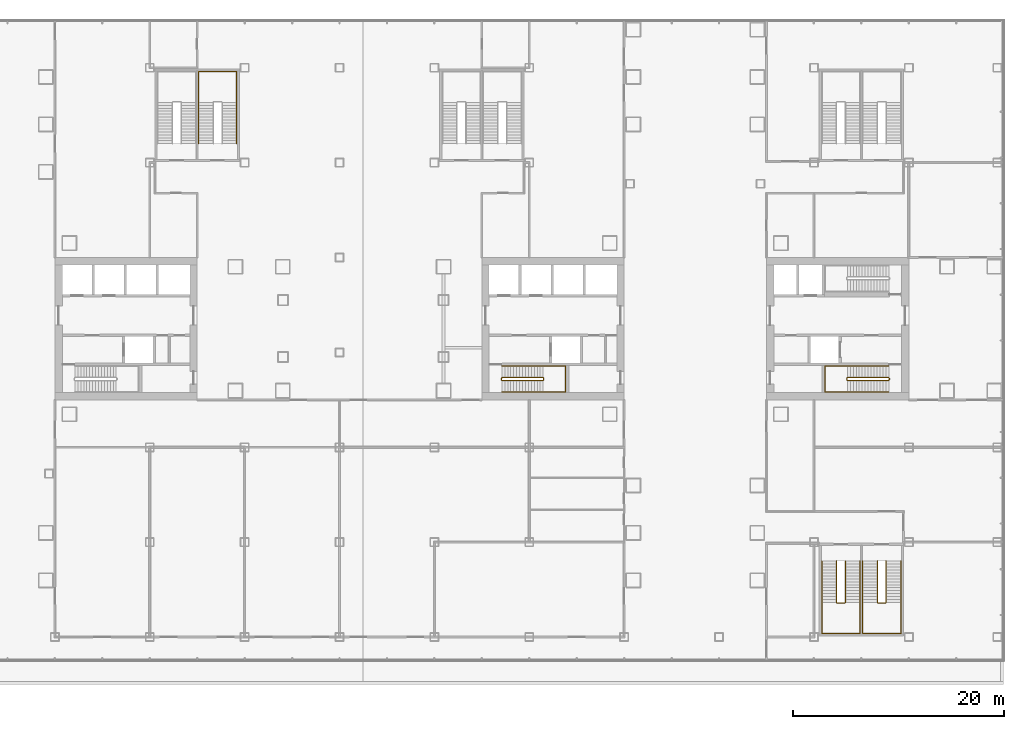
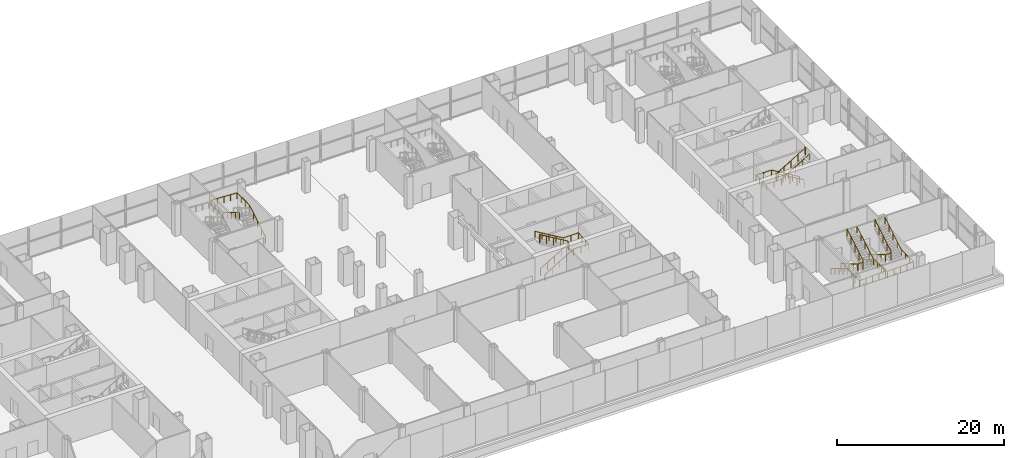
# One storey, part 28 of 30: 9 railings.
"""IFC4 building model written with IfcOpenShell, lengths in metres."""

import ifcopenshell
import ifcopenshell.guid

model = None  # the IFC model being written
_history = None  # IfcOwnerHistory: only IFC2X3 demands one
_inside = {}  # id of a spatial element -> (the spatial element, [elements in it])
_under = {}  # id of a project, library or spatial element -> (it, [spatial elements below it])
_declared = {}  # id of a project -> (the project, [libraries it declares])
_typed = {}  # id of a type object -> (the type object, [elements of that type])
_made_of = {}  # id of a material, layer set ... -> (it, [elements and type objects made of it])


def new_model(schema):
    """Start an empty IFC model of exactly this schema.

    Asked for "IFC4X3", IfcOpenShell would pick the latest addendum, in which some entities
    have other attributes; the version numbers below select the first issue.
    IFC2X3 requires an IfcOwnerHistory on every rooted entity: one is made here for all.
    """
    global model, _history
    if schema == "IFC4X3":
        model = ifcopenshell.file(schema_version=(4, 3, 0, 0))
    else:
        model = ifcopenshell.file(schema=schema)
    _inside.clear()
    _under.clear()
    _declared.clear()
    _typed.clear()
    _made_of.clear()
    _history = None
    if model.schema == "IFC2X3":
        org = make("IfcOrganization", Name="unknown")
        user = make(
            "IfcPersonAndOrganization",
            ThePerson=make("IfcPerson", FamilyName="unknown"),
            TheOrganization=org,
        )
        app = make(
            "IfcApplication",
            ApplicationDeveloper=org,
            Version="unknown",
            ApplicationFullName="unknown",
            ApplicationIdentifier="unknown",
        )
        _history = make(
            "IfcOwnerHistory",
            OwningUser=user,
            OwningApplication=app,
            ChangeAction="ADDED",
            CreationDate=0,
        )
    return model


def make(cls, **values):
    """One entity of the class cls with the attributes given. An attribute that is None is left unset."""
    return model.create_entity(
        cls, **{name: value for name, value in values.items() if value is not None}
    )


def rooted(cls, **values):
    """An entity with a GlobalId (a new one), such as an element, a storey or a relation."""
    return make(cls, GlobalId=ifcopenshell.guid.new(), OwnerHistory=_history, **values)


def si_unit(unit_type, name, prefix=None):
    """IfcSIUnit, for example si_unit("LENGTHUNIT", "METRE", prefix="MILLI")."""
    return make("IfcSIUnit", UnitType=unit_type, Prefix=prefix, Name=name)


def assignment(units):
    """IfcUnitAssignment: the units of a project."""
    return None if units is None else make("IfcUnitAssignment", Units=units)


def point(xyz):
    """IfcCartesianPoint."""
    return None if xyz is None else make("IfcCartesianPoint", Coordinates=xyz)


def direction(xyz):
    """IfcDirection."""
    return None if xyz is None else make("IfcDirection", DirectionRatios=xyz)


def frame(location, z_axis=None, x_axis=None):
    """IfcAxis2Placement3D, a coordinate frame: its origin and axes. An axis left out is left unset."""
    return make(
        "IfcAxis2Placement3D",
        Location=point(location),
        Axis=direction(z_axis),
        RefDirection=direction(x_axis),
    )


def frame_2d(location, x_axis=None):
    """IfcAxis2Placement2D, a coordinate frame in the plane: its origin and x axis."""
    return make(
        "IfcAxis2Placement2D", Location=point(location), RefDirection=direction(x_axis)
    )


def origin():
    """The frame at (0, 0, 0) with its axes left unset."""
    return frame((0.0, 0.0, 0.0))


def origin_2d():
    """The frame at (0, 0) in the plane with its x axis left unset."""
    return frame_2d((0.0, 0.0))


def place(relative_to, where):
    """IfcLocalPlacement: puts the frame where relative to a parent placement (None: the world)."""
    return make(
        "IfcLocalPlacement", PlacementRelTo=relative_to, RelativePlacement=where
    )


def context(
    kind, dimensions, precision=None, world=None, true_north=None, identifier=None
):
    """IfcGeometricRepresentationContext, for example the 3D "Model" context."""
    return make(
        "IfcGeometricRepresentationContext",
        ContextIdentifier=identifier,
        ContextType=kind,
        CoordinateSpaceDimension=dimensions,
        Precision=precision,
        WorldCoordinateSystem=world,
        TrueNorth=true_north,
    )


def subcontext(parent, identifier, kind, view, scale=None):
    """IfcGeometricRepresentationSubContext, for example "Body" below "Model"."""
    return make(
        "IfcGeometricRepresentationSubContext",
        ContextIdentifier=identifier,
        ContextType=kind,
        ParentContext=parent,
        TargetScale=scale,
        TargetView=view,
    )


def project(units=None, contexts=None):
    """IfcProject with its units and contexts."""
    return rooted(
        "IfcProject",
        Name="project",
        RepresentationContexts=contexts,
        UnitsInContext=assignment(units),
    )


def spatial(cls, under=None, at=None, **own):
    """A site, building, storey or space (cls), placed at a placement, below another one or the project."""
    s = rooted(cls, ObjectPlacement=at, **own)
    if under is not None:
        _under.setdefault(under.id(), (under, []))[1].append(s)
    return s


def profile(cls, at=None, kind="AREA", **sizes):
    """A parametric profile (cls). Its sizes go by their IFC names, for example OverallWidth=200.0."""
    return make(cls, ProfileType=kind, Position=at, **sizes)


def circle(**sizes):
    """IfcCircleProfileDef."""
    return profile("IfcCircleProfileDef", **sizes)


def extrude(swept, where, along, depth):
    """IfcExtrudedAreaSolid: the profile swept, set in the frame where, extruded along a direction by depth."""
    return make(
        "IfcExtrudedAreaSolid",
        SweptArea=swept,
        Position=where,
        ExtrudedDirection=direction(along),
        Depth=depth,
    )


def shape(context_of_items, identifier, shape_type, items):
    """IfcShapeRepresentation: the items that make up one representation, for example the "Body"."""
    return make(
        "IfcShapeRepresentation",
        ContextOfItems=context_of_items,
        RepresentationIdentifier=identifier,
        RepresentationType=shape_type,
        Items=items,
    )


def material(Name=None, Category=None):
    """IfcMaterial."""
    return make("IfcMaterial", Name=Name, Category=Category)


def made_of(thing, what):
    """Note that an element or type object is made of a material, layer set ...; save() writes the relation."""
    if what is not None:
        _made_of.setdefault(what.id(), (what, []))[1].append(thing)
    return thing


def type_object(cls, material=None, **own):
    """A type object (cls), such as IfcWallType, which elements share."""
    return made_of(rooted(cls, **own), material)


def element(
    cls,
    number,
    at=None,
    inside=None,
    cuts=None,
    type_object=None,
    material=None,
    context=None,
    identifier="Body",
    shape_type=None,
    held_by="IfcProductDefinitionShape",
    body=None,
    shapes=None,
    **own,
):
    """One element of the class cls, such as IfcWall. Its Tag is "e" and its number.

    at: its placement. inside: the storey or other place that contains it. cuts: it is an
    opening in that element (IfcRelVoidsElement). A single representation is given by context,
    identifier, shape_type and body (its items); several are given by shapes. held_by: the class
    of the entity that holds the representations. save() writes the other relations.
    """
    e = rooted(cls, Tag="e%d" % number, ObjectPlacement=at, **own)
    if body is not None:
        shapes = [shape(context, identifier, shape_type, body)]
    if shapes is not None:
        e.Representation = make(held_by, Representations=shapes)
    if inside is not None:
        _inside.setdefault(inside.id(), (inside, []))[1].append(e)
    if cuts is not None:
        rooted(
            "IfcRelVoidsElement", RelatingBuildingElement=cuts, RelatedOpeningElement=e
        )
    if type_object is not None:
        _typed.setdefault(type_object.id(), (type_object, []))[1].append(e)
    return made_of(e, material)


def aggregate(whole, parts):
    """IfcRelAggregates: a whole, such as a stair, and the parts it consists of."""
    return rooted("IfcRelAggregates", RelatingObject=whole, RelatedObjects=parts)


def save(model, path):
    """Write the relations noted so far, then the file.

    IfcRelAggregates (storeys below a building ...), IfcRelContainedInSpatialStructure (elements
    in a storey), IfcRelDefinesByType, IfcRelAssociatesMaterial and IfcRelDeclares: one each for
    every whole, place, type object, material and project.
    """
    for whole, parts in _under.values():
        aggregate(whole, parts)
    for where, things in _inside.values():
        rooted(
            "IfcRelContainedInSpatialStructure",
            RelatedElements=things,
            RelatingStructure=where,
        )
    for kind, things in _typed.values():
        rooted("IfcRelDefinesByType", RelatedObjects=things, RelatingType=kind)
    for what, things in _made_of.values():
        rooted("IfcRelAssociatesMaterial", RelatedObjects=things, RelatingMaterial=what)
    for by, libraries in _declared.values():
        rooted("IfcRelDeclares", RelatingContext=by, RelatedDefinitions=libraries)
    model.write(path)


model = new_model("IFC4")

# Units and contexts
model_context = context("Model", 3, precision=1e-05, world=origin(), true_north=direction((0.0, 1.0)))
body_context = subcontext(model_context, "Body", "Model", "MODEL_VIEW")
ifc_project = project(units=[si_unit("LENGTHUNIT", "METRE"), si_unit("AREAUNIT", "SQUARE_METRE"), si_unit("VOLUMEUNIT", "CUBIC_METRE"), si_unit("PLANEANGLEUNIT", "RADIAN"), si_unit("MASSUNIT", "GRAM", prefix="KILO")], contexts=[model_context])

# Site, building, storey
site_placement = place(None, origin())
site = spatial("IfcSite", under=ifc_project, at=site_placement, CompositionType="ELEMENT")
building_placement = place(site_placement, origin())
building = spatial("IfcBuilding", under=site, at=building_placement, Name="Shamsa Quay Exchange Towers", CompositionType="ELEMENT")
storey_placement = place(building_placement, frame((0.0, 0.0, 23.5)))
storey = spatial("IfcBuildingStorey", under=building, at=storey_placement, Name="L04", CompositionType="ELEMENT", Elevation=23.5)

# Railings
ifc_material = material(Name="Stainless steel", Category="steel")
railing_type_1 = type_object("IfcRailingType", Name="STAIR GUARD 1100", PredefinedType="GUARDRAIL", material=ifc_material)
railing_1_placement = place(storey_placement, frame((15.39990234375, -4.89990234375, 0.166748046875)))
element("IfcRailing", 1, at=railing_1_placement, inside=storey, type_object=railing_type_1, Name="L04 ST4 stair guard 1", PredefinedType="GUARDRAIL", context=body_context, shape_type="SweptSolid", body=[
    extrude(circle(Radius=0.02392578125, at=origin_2d()), frame((0.0, 0.0, 1.076171875), z_axis=(0.859310244771, 0.0, 0.511454693235), x_axis=(0.0, 1.0, 0.0)), (0.0, 0.0, 1.0), 4.56201171875),
    extrude(circle(Radius=0.02392578125, at=origin_2d()), frame((3.920166015625, 0.0, 3.4091796875), z_axis=(0.708833529934, 0.705375805398, 0.0), x_axis=(-0.705375805398, 0.708833529934, 0.0)), (0.0, 0.0, 1.0), 0.070556640625),
    extrude(circle(Radius=0.02392578125, at=origin_2d()), frame((3.97021484375, 0.0498046875, 3.4091796875), z_axis=(0.0, 1.0, 0.0), x_axis=(-1.0, 0.0, 0.0)), (0.0, 0.0, 1.0), 0.150146484375),
    extrude(circle(Radius=0.02392578125, at=origin_2d()), frame((3.97021484375, 0.199951171875, 3.4091796875), z_axis=(-0.27628659633, 0.27628659633, 0.920506074601), x_axis=(-0.707106781187, -0.707106781187, 0.0)), (0.0, 0.0, 1.0), 0.18115234375),
    extrude(circle(Radius=0.02392578125, at=origin_2d()), frame((3.920166015625, 0.25, 3.576171875), z_axis=(-0.859310244771, 0.0, 0.511454693235), x_axis=(0.0, -1.0, 0.0)), (0.0, 0.0, 1.0), 4.56201171875),
    extrude(circle(Radius=0.02392578125, at=origin_2d()), frame((0.0, 0.25, 5.9091796875), z_axis=(-0.24142163986, -0.970420317083, 0.0), x_axis=(0.970420317083, -0.24142163986, 0.0)), (0.0, 0.0, 1.0), 0.206298828125),
    extrude(circle(Radius=0.02392578125, at=origin_2d()), frame((-0.0498046875, 0.0498046875, 5.9091796875), z_axis=(0.0, 1.0, 0.0), x_axis=(-1.0, 0.0, 0.0)), (0.0, 0.0, 1.0), 0.150146484375),
    extrude(circle(Radius=0.02099609375, at=origin_2d()), origin(), (0.0, 0.0, 1.0), 1.052001953125),
    extrude(circle(Radius=0.02099609375, at=origin_2d()), frame((0.97998046875, 0.0, 0.583251953125)), (0.0, 0.0, 1.0), 1.052001953125),
    extrude(circle(Radius=0.02099609375, at=origin_2d()), frame((1.9599609375, 0.0, 1.16650390625)), (0.0, 0.0, 1.0), 1.052001953125),
    extrude(circle(Radius=0.02099609375, at=origin_2d()), frame((2.940185546875, 0.0, 1.75)), (0.0, 0.0, 1.0), 1.052001953125),
    extrude(circle(Radius=0.02099609375, at=origin_2d()), frame((3.920166015625, 0.0, 2.333251953125)), (0.0, 0.0, 1.0), 1.052001953125),
    extrude(circle(Radius=0.02099609375, at=origin_2d()), frame((3.97021484375, 0.0498046875, 2.333251953125)), (0.0, 0.0, 1.0), 1.052001953125),
    extrude(circle(Radius=0.02099609375, at=origin_2d()), frame((3.97021484375, 0.199951171875, 2.333251953125)), (0.0, 0.0, 1.0), 1.052001953125),
    extrude(circle(Radius=0.02099609375, at=origin_2d()), frame((3.920166015625, 0.25, 2.5)), (0.0, 0.0, 1.0), 1.052001953125),
    extrude(circle(Radius=0.02099609375, at=origin_2d()), frame((2.940185546875, 0.25, 3.083251953125)), (0.0, 0.0, 1.0), 1.052001953125),
    extrude(circle(Radius=0.02099609375, at=origin_2d()), frame((1.9599609375, 0.25, 3.66650390625)), (0.0, 0.0, 1.0), 1.052001953125),
    extrude(circle(Radius=0.02099609375, at=origin_2d()), frame((0.97998046875, 0.25, 4.25)), (0.0, 0.0, 1.0), 1.052001953125),
    extrude(circle(Radius=0.02099609375, at=origin_2d()), frame((0.0, 0.25, 4.833251953125)), (0.0, 0.0, 1.0), 1.052001953125),
    extrude(circle(Radius=0.02099609375, at=origin_2d()), frame((-0.0498046875, 0.0498046875, 4.833251953125)), (0.0, 0.0, 1.0), 1.052001953125),
    extrude(circle(Radius=0.02099609375, at=origin_2d()), frame((-0.0498046875, 0.199951171875, 4.833251953125)), (0.0, 0.0, 1.0), 1.052001953125),
])
railing_2_placement = place(storey_placement, frame((52.10009765625, -4.64990234375, 0.166748046875)))
element("IfcRailing", 2, at=railing_2_placement, inside=storey, type_object=railing_type_1, Name="L04 ST5 stair guard 1", PredefinedType="GUARDRAIL", context=body_context, shape_type="SweptSolid", body=[
    extrude(circle(Radius=0.02392578125, at=origin_2d()), frame((0.0, 0.0, 1.076171875), z_axis=(-0.859310244771, 0.0, 0.511454693235), x_axis=(0.0, -1.0, 0.0)), (0.0, 0.0, 1.0), 4.56201171875),
    extrude(circle(Radius=0.02392578125, at=origin_2d()), frame((-3.920166015625, 0.0, 3.4091796875), z_axis=(-0.707106781187, -0.707106781187, 0.0), x_axis=(0.707106781187, -0.707106781187, 0.0)), (0.0, 0.0, 1.0), 0.07080078125),
    extrude(circle(Radius=0.02392578125, at=origin_2d()), frame((-3.97021484375, -0.050048828125, 3.4091796875), z_axis=(0.0, -1.0, 0.0), x_axis=(1.0, 0.0, 0.0)), (0.0, 0.0, 1.0), 0.150146484375),
    extrude(circle(Radius=0.02392578125, at=origin_2d()), frame((-3.97021484375, -0.2001953125, 3.4091796875), z_axis=(0.276389281352, -0.275041040955, 0.920848191041), x_axis=(0.705375805398, 0.708833529934, 0.0)), (0.0, 0.0, 1.0), 0.18115234375),
    extrude(circle(Radius=0.02392578125, at=origin_2d()), frame((-3.920166015625, -0.25, 3.576171875), z_axis=(0.859310244771, 0.0, 0.511454693235), x_axis=(0.0, 1.0, 0.0)), (0.0, 0.0, 1.0), 4.56201171875),
    extrude(circle(Radius=0.02392578125, at=origin_2d()), frame((0.0, -0.25, 5.9091796875), z_axis=(0.241699205484, 0.970351222016, 0.0), x_axis=(-0.970351222016, 0.241699205484, 0.0)), (0.0, 0.0, 1.0), 0.2060546875),
    extrude(circle(Radius=0.02392578125, at=origin_2d()), frame((0.0498046875, -0.050048828125, 5.9091796875), z_axis=(0.0, -1.0, 0.0), x_axis=(1.0, 0.0, 0.0)), (0.0, 0.0, 1.0), 0.150146484375),
    extrude(circle(Radius=0.02099609375, at=origin_2d()), origin(), (0.0, 0.0, 1.0), 1.052001953125),
    extrude(circle(Radius=0.02099609375, at=origin_2d()), frame((-0.97998046875, 0.0, 0.583251953125)), (0.0, 0.0, 1.0), 1.052001953125),
    extrude(circle(Radius=0.02099609375, at=origin_2d()), frame((-1.9599609375, 0.0, 1.16650390625)), (0.0, 0.0, 1.0), 1.052001953125),
    extrude(circle(Radius=0.02099609375, at=origin_2d()), frame((-2.940185546875, 0.0, 1.75)), (0.0, 0.0, 1.0), 1.052001953125),
    extrude(circle(Radius=0.02099609375, at=origin_2d()), frame((-3.920166015625, 0.0, 2.333251953125)), (0.0, 0.0, 1.0), 1.052001953125),
    extrude(circle(Radius=0.02099609375, at=origin_2d()), frame((-3.97021484375, -0.050048828125, 2.333251953125)), (0.0, 0.0, 1.0), 1.052001953125),
    extrude(circle(Radius=0.02099609375, at=origin_2d()), frame((-3.97021484375, -0.2001953125, 2.333251953125)), (0.0, 0.0, 1.0), 1.052001953125),
    extrude(circle(Radius=0.02099609375, at=origin_2d()), frame((-3.920166015625, -0.25, 2.5)), (0.0, 0.0, 1.0), 1.052001953125),
    extrude(circle(Radius=0.02099609375, at=origin_2d()), frame((-2.940185546875, -0.25, 3.083251953125)), (0.0, 0.0, 1.0), 1.052001953125),
    extrude(circle(Radius=0.02099609375, at=origin_2d()), frame((-1.9599609375, -0.25, 3.66650390625)), (0.0, 0.0, 1.0), 1.052001953125),
    extrude(circle(Radius=0.02099609375, at=origin_2d()), frame((-0.97998046875, -0.25, 4.25)), (0.0, 0.0, 1.0), 1.052001953125),
    extrude(circle(Radius=0.02099609375, at=origin_2d()), frame((0.0, -0.25, 4.833251953125)), (0.0, 0.0, 1.0), 1.052001953125),
    extrude(circle(Radius=0.02099609375, at=origin_2d()), frame((0.0498046875, -0.050048828125, 4.833251953125)), (0.0, 0.0, 1.0), 1.052001953125),
    extrude(circle(Radius=0.02099609375, at=origin_2d()), frame((0.0498046875, -0.2001953125, 4.833251953125)), (0.0, 0.0, 1.0), 1.052001953125),
])
railing_3_placement = place(storey_placement, frame((47.14990234375, -22.050048828125, 0.166748046875)))
element("IfcRailing", 3, at=railing_3_placement, inside=storey, type_object=railing_type_1, Name="L04 PS6A stair guard 1", PredefinedType="GUARDRAIL", context=body_context, shape_type="SweptSolid", body=[
    extrude(circle(Radius=0.02392578125, at=origin_2d()), frame((0.0, 0.0, 1.076171875), z_axis=(0.0, -0.859296244711, 0.511478214419), x_axis=(1.0, 0.0, 0.0)), (0.0, 0.0, 1.0), 4.561767578125),
    extrude(circle(Radius=0.02392578125, at=origin_2d()), frame((0.0, -3.919921875, 3.4091796875), z_axis=(0.707106781187, -0.707106781187, 0.0), x_axis=(0.707106781187, 0.707106781187, 0.0)), (0.0, 0.0, 1.0), 0.07080078125),
    extrude(circle(Radius=0.02392578125, at=origin_2d()), frame((0.050048828125, -3.969970703125, 3.4091796875), z_axis=(1.0, 0.0, 0.0), x_axis=(0.0, 1.0, 0.0)), (0.0, 0.0, 1.0), 0.72509765625),
    extrude(circle(Radius=0.02392578125, at=origin_2d()), frame((0.775146484375, -3.969970703125, 3.4091796875), z_axis=(0.27628659633, 0.27628659633, 0.920506074601), x_axis=(-0.707106781187, 0.707106781187, 0.0)), (0.0, 0.0, 1.0), 0.18115234375),
    extrude(circle(Radius=0.02392578125, at=origin_2d()), frame((0.8251953125, -3.919921875, 3.576171875), z_axis=(0.0, 0.859296244711, 0.511478214419), x_axis=(-1.0, 0.0, 0.0)), (0.0, 0.0, 1.0), 4.561767578125),
    extrude(circle(Radius=0.02099609375, at=origin_2d()), origin(), (0.0, 0.0, 1.0), 1.052001953125),
    extrude(circle(Radius=0.02099609375, at=origin_2d()), frame((0.0, -0.97998046875, 0.583251953125)), (0.0, 0.0, 1.0), 1.052001953125),
    extrude(circle(Radius=0.02099609375, at=origin_2d()), frame((0.0, -1.9599609375, 1.16650390625)), (0.0, 0.0, 1.0), 1.052001953125),
    extrude(circle(Radius=0.02099609375, at=origin_2d()), frame((0.0, -2.93994140625, 1.75)), (0.0, 0.0, 1.0), 1.052001953125),
    extrude(circle(Radius=0.02099609375, at=origin_2d()), frame((0.0, -3.919921875, 2.333251953125)), (0.0, 0.0, 1.0), 1.052001953125),
    extrude(circle(Radius=0.02099609375, at=origin_2d()), frame((0.050048828125, -3.969970703125, 2.333251953125)), (0.0, 0.0, 1.0), 1.052001953125),
    extrude(circle(Radius=0.02099609375, at=origin_2d()), frame((0.775146484375, -3.969970703125, 2.333251953125)), (0.0, 0.0, 1.0), 1.052001953125),
    extrude(circle(Radius=0.02099609375, at=origin_2d()), frame((0.8251953125, -3.919921875, 2.5)), (0.0, 0.0, 1.0), 1.052001953125),
    extrude(circle(Radius=0.02099609375, at=origin_2d()), frame((0.8251953125, -2.93994140625, 3.083251953125)), (0.0, 0.0, 1.0), 1.052001953125),
    extrude(circle(Radius=0.02099609375, at=origin_2d()), frame((0.8251953125, -1.9599609375, 3.66650390625)), (0.0, 0.0, 1.0), 1.052001953125),
    extrude(circle(Radius=0.02099609375, at=origin_2d()), frame((0.8251953125, -0.97998046875, 4.25)), (0.0, 0.0, 1.0), 1.052001953125),
    extrude(circle(Radius=0.02099609375, at=origin_2d()), frame((0.8251953125, 0.0, 4.833251953125)), (0.0, 0.0, 1.0), 1.052001953125),
])
railing_4_placement = place(storey_placement, frame((51.02490234375, -22.050048828125, 0.166748046875)))
element("IfcRailing", 4, at=railing_4_placement, inside=storey, type_object=railing_type_1, Name="L04 PS6B stair guard 1", PredefinedType="GUARDRAIL", context=body_context, shape_type="SweptSolid", body=[
    extrude(circle(Radius=0.02392578125, at=origin_2d()), frame((0.0, 0.0, 1.076171875), z_axis=(0.0, -0.859296244711, 0.511478214419), x_axis=(1.0, 0.0, 0.0)), (0.0, 0.0, 1.0), 4.561767578125),
    extrude(circle(Radius=0.02392578125, at=origin_2d()), frame((0.0, -3.919921875, 3.4091796875), z_axis=(0.707106781187, -0.707106781187, 0.0), x_axis=(0.707106781187, 0.707106781187, 0.0)), (0.0, 0.0, 1.0), 0.07080078125),
    extrude(circle(Radius=0.02392578125, at=origin_2d()), frame((0.050048828125, -3.969970703125, 3.4091796875), z_axis=(1.0, 0.0, 0.0), x_axis=(0.0, 1.0, 0.0)), (0.0, 0.0, 1.0), 0.72509765625),
    extrude(circle(Radius=0.02392578125, at=origin_2d()), frame((0.775146484375, -3.969970703125, 3.4091796875), z_axis=(0.27628659633, 0.27628659633, 0.920506074601), x_axis=(-0.707106781187, 0.707106781187, 0.0)), (0.0, 0.0, 1.0), 0.18115234375),
    extrude(circle(Radius=0.02392578125, at=origin_2d()), frame((0.8251953125, -3.919921875, 3.576171875), z_axis=(0.0, 0.859296244711, 0.511478214419), x_axis=(-1.0, 0.0, 0.0)), (0.0, 0.0, 1.0), 4.561767578125),
    extrude(circle(Radius=0.02099609375, at=origin_2d()), origin(), (0.0, 0.0, 1.0), 1.052001953125),
    extrude(circle(Radius=0.02099609375, at=origin_2d()), frame((0.0, -0.97998046875, 0.583251953125)), (0.0, 0.0, 1.0), 1.052001953125),
    extrude(circle(Radius=0.02099609375, at=origin_2d()), frame((0.0, -1.9599609375, 1.16650390625)), (0.0, 0.0, 1.0), 1.052001953125),
    extrude(circle(Radius=0.02099609375, at=origin_2d()), frame((0.0, -2.93994140625, 1.75)), (0.0, 0.0, 1.0), 1.052001953125),
    extrude(circle(Radius=0.02099609375, at=origin_2d()), frame((0.0, -3.919921875, 2.333251953125)), (0.0, 0.0, 1.0), 1.052001953125),
    extrude(circle(Radius=0.02099609375, at=origin_2d()), frame((0.050048828125, -3.969970703125, 2.333251953125)), (0.0, 0.0, 1.0), 1.052001953125),
    extrude(circle(Radius=0.02099609375, at=origin_2d()), frame((0.775146484375, -3.969970703125, 2.333251953125)), (0.0, 0.0, 1.0), 1.052001953125),
    extrude(circle(Radius=0.02099609375, at=origin_2d()), frame((0.8251953125, -3.919921875, 2.5)), (0.0, 0.0, 1.0), 1.052001953125),
    extrude(circle(Radius=0.02099609375, at=origin_2d()), frame((0.8251953125, -2.93994140625, 3.083251953125)), (0.0, 0.0, 1.0), 1.052001953125),
    extrude(circle(Radius=0.02099609375, at=origin_2d()), frame((0.8251953125, -1.9599609375, 3.66650390625)), (0.0, 0.0, 1.0), 1.052001953125),
    extrude(circle(Radius=0.02099609375, at=origin_2d()), frame((0.8251953125, -0.97998046875, 4.25)), (0.0, 0.0, 1.0), 1.052001953125),
    extrude(circle(Radius=0.02099609375, at=origin_2d()), frame((0.8251953125, 0.0, 4.833251953125)), (0.0, 0.0, 1.0), 1.052001953125),
])
railing_type_2 = type_object("IfcRailingType", Name="STAIR HANDRAIL 900", PredefinedType="HANDRAIL", material=ifc_material)
railing_5_placement = place(storey_placement, frame((15.39990234375, -6.0, 0.166748046875)))
element("IfcRailing", 5, at=railing_5_placement, inside=storey, type_object=railing_type_2, Name="L04 ST4 stair handrail 1", PredefinedType="HANDRAIL", context=body_context, shape_type="SweptSolid", body=[
    extrude(circle(Radius=0.02392578125, at=origin_2d()), frame((0.0, 0.0, 0.8759765625), z_axis=(0.859310244771, 0.0, 0.511454693235), x_axis=(0.0, 1.0, 0.0)), (0.0, 0.0, 1.0), 4.56201171875),
    extrude(circle(Radius=0.02392578125, at=origin_2d()), frame((3.920166015625, 0.0, 3.208984375), z_axis=(1.0, 0.0, 0.0), x_axis=(0.0, 1.0, 0.0)), (0.0, 0.0, 1.0), 2.1298828125),
    extrude(circle(Radius=0.02392578125, at=origin_2d()), frame((6.050048828125, 0.0, 3.208984375), z_axis=(0.0, 0.997691813052, 0.067904684436), x_axis=(-1.0, 0.0, 0.0)), (0.0, 0.0, 1.0), 2.45556640625),
    extrude(circle(Radius=0.02392578125, at=origin_2d()), frame((6.050048828125, 2.449951171875, 3.3759765625), z_axis=(-1.0, 0.0, 0.0), x_axis=(0.0, -1.0, 0.0)), (0.0, 0.0, 1.0), 2.1298828125),
    extrude(circle(Radius=0.02392578125, at=origin_2d()), frame((3.920166015625, 2.449951171875, 3.3759765625), z_axis=(-0.859310244771, 0.0, 0.511454693235), x_axis=(0.0, -1.0, 0.0)), (0.0, 0.0, 1.0), 4.56201171875),
    extrude(circle(Radius=0.02099609375, at=origin_2d()), origin(), (0.0, 0.0, 1.0), 0.851806640625),
    extrude(circle(Radius=0.02099609375, at=origin_2d()), frame((0.97998046875, 0.0, 0.583251953125)), (0.0, 0.0, 1.0), 0.851806640625),
    extrude(circle(Radius=0.02099609375, at=origin_2d()), frame((1.9599609375, 0.0, 1.16650390625)), (0.0, 0.0, 1.0), 0.851806640625),
    extrude(circle(Radius=0.02099609375, at=origin_2d()), frame((2.940185546875, 0.0, 1.75)), (0.0, 0.0, 1.0), 0.851806640625),
    extrude(circle(Radius=0.02099609375, at=origin_2d()), frame((3.920166015625, 0.0, 2.333251953125)), (0.0, 0.0, 1.0), 0.851806640625),
    extrude(circle(Radius=0.02099609375, at=origin_2d()), frame((4.985107421875, 0.0, 2.333251953125)), (0.0, 0.0, 1.0), 0.851806640625),
    extrude(circle(Radius=0.02099609375, at=origin_2d()), frame((6.050048828125, 0.0, 2.333251953125)), (0.0, 0.0, 1.0), 0.851806640625),
    extrude(circle(Radius=0.02099609375, at=origin_2d()), frame((6.050048828125, 0.816650390625, 2.388916015625)), (0.0, 0.0, 1.0), 0.851806640625),
    extrude(circle(Radius=0.02099609375, at=origin_2d()), frame((6.050048828125, 1.63330078125, 2.4443359375)), (0.0, 0.0, 1.0), 0.851806640625),
    extrude(circle(Radius=0.02099609375, at=origin_2d()), frame((6.050048828125, 2.449951171875, 2.5)), (0.0, 0.0, 1.0), 0.851806640625),
    extrude(circle(Radius=0.02099609375, at=origin_2d()), frame((4.985107421875, 2.449951171875, 2.5)), (0.0, 0.0, 1.0), 0.851806640625),
    extrude(circle(Radius=0.02099609375, at=origin_2d()), frame((3.920166015625, 2.449951171875, 2.5)), (0.0, 0.0, 1.0), 0.851806640625),
    extrude(circle(Radius=0.02099609375, at=origin_2d()), frame((2.940185546875, 2.449951171875, 3.083251953125)), (0.0, 0.0, 1.0), 0.851806640625),
    extrude(circle(Radius=0.02099609375, at=origin_2d()), frame((1.9599609375, 2.449951171875, 3.66650390625)), (0.0, 0.0, 1.0), 0.851806640625),
    extrude(circle(Radius=0.02099609375, at=origin_2d()), frame((0.97998046875, 2.449951171875, 4.25)), (0.0, 0.0, 1.0), 0.851806640625),
    extrude(circle(Radius=0.02099609375, at=origin_2d()), frame((0.0, 2.449951171875, 4.833251953125)), (0.0, 0.0, 1.0), 0.851806640625),
])
railing_6_placement = place(storey_placement, frame((52.10009765625, -3.550048828125, 0.166748046875)))
element("IfcRailing", 6, at=railing_6_placement, inside=storey, type_object=railing_type_2, Name="L04 ST5 stair handrail 1", PredefinedType="HANDRAIL", context=body_context, shape_type="SweptSolid", body=[
    extrude(circle(Radius=0.02392578125, at=origin_2d()), frame((0.0, 0.0, 0.8759765625), z_axis=(-0.859310244771, 0.0, 0.511454693235), x_axis=(0.0, -1.0, 0.0)), (0.0, 0.0, 1.0), 4.56201171875),
    extrude(circle(Radius=0.02392578125, at=origin_2d()), frame((-3.920166015625, 0.0, 3.208984375), z_axis=(-1.0, 0.0, 0.0), x_axis=(0.0, -1.0, 0.0)), (0.0, 0.0, 1.0), 2.1298828125),
    extrude(circle(Radius=0.02392578125, at=origin_2d()), frame((-6.050048828125, 0.0, 3.208984375), z_axis=(0.0, -0.997691813052, 0.067904684436), x_axis=(1.0, 0.0, 0.0)), (0.0, 0.0, 1.0), 2.45556640625),
    extrude(circle(Radius=0.02392578125, at=origin_2d()), frame((-6.050048828125, -2.449951171875, 3.3759765625), z_axis=(1.0, 0.0, 0.0), x_axis=(0.0, 1.0, 0.0)), (0.0, 0.0, 1.0), 2.1298828125),
    extrude(circle(Radius=0.02392578125, at=origin_2d()), frame((-3.920166015625, -2.449951171875, 3.3759765625), z_axis=(0.859310244771, 0.0, 0.511454693235), x_axis=(0.0, 1.0, 0.0)), (0.0, 0.0, 1.0), 4.56201171875),
    extrude(circle(Radius=0.02099609375, at=origin_2d()), origin(), (0.0, 0.0, 1.0), 0.851806640625),
    extrude(circle(Radius=0.02099609375, at=origin_2d()), frame((-0.97998046875, 0.0, 0.583251953125)), (0.0, 0.0, 1.0), 0.851806640625),
    extrude(circle(Radius=0.02099609375, at=origin_2d()), frame((-1.9599609375, 0.0, 1.16650390625)), (0.0, 0.0, 1.0), 0.851806640625),
    extrude(circle(Radius=0.02099609375, at=origin_2d()), frame((-2.940185546875, 0.0, 1.75)), (0.0, 0.0, 1.0), 0.851806640625),
    extrude(circle(Radius=0.02099609375, at=origin_2d()), frame((-3.920166015625, 0.0, 2.333251953125)), (0.0, 0.0, 1.0), 0.851806640625),
    extrude(circle(Radius=0.02099609375, at=origin_2d()), frame((-4.985107421875, 0.0, 2.333251953125)), (0.0, 0.0, 1.0), 0.851806640625),
    extrude(circle(Radius=0.02099609375, at=origin_2d()), frame((-6.050048828125, 0.0, 2.333251953125)), (0.0, 0.0, 1.0), 0.851806640625),
    extrude(circle(Radius=0.02099609375, at=origin_2d()), frame((-6.050048828125, -0.816650390625, 2.388916015625)), (0.0, 0.0, 1.0), 0.851806640625),
    extrude(circle(Radius=0.02099609375, at=origin_2d()), frame((-6.050048828125, -1.63330078125, 2.4443359375)), (0.0, 0.0, 1.0), 0.851806640625),
    extrude(circle(Radius=0.02099609375, at=origin_2d()), frame((-6.050048828125, -2.449951171875, 2.5)), (0.0, 0.0, 1.0), 0.851806640625),
    extrude(circle(Radius=0.02099609375, at=origin_2d()), frame((-4.985107421875, -2.449951171875, 2.5)), (0.0, 0.0, 1.0), 0.851806640625),
    extrude(circle(Radius=0.02099609375, at=origin_2d()), frame((-3.920166015625, -2.449951171875, 2.5)), (0.0, 0.0, 1.0), 0.851806640625),
    extrude(circle(Radius=0.02099609375, at=origin_2d()), frame((-2.940185546875, -2.449951171875, 3.083251953125)), (0.0, 0.0, 1.0), 0.851806640625),
    extrude(circle(Radius=0.02099609375, at=origin_2d()), frame((-1.9599609375, -2.449951171875, 3.66650390625)), (0.0, 0.0, 1.0), 0.851806640625),
    extrude(circle(Radius=0.02099609375, at=origin_2d()), frame((-0.97998046875, -2.449951171875, 4.25)), (0.0, 0.0, 1.0), 0.851806640625),
    extrude(circle(Radius=0.02099609375, at=origin_2d()), frame((0.0, -2.449951171875, 4.833251953125)), (0.0, 0.0, 1.0), 0.851806640625),
])
railing_7_placement = place(storey_placement, frame((-9.75, 17.550048828125, 0.166748046875)))
element("IfcRailing", 7, at=railing_7_placement, inside=storey, type_object=railing_type_2, Name="L04 PS2B stair handrail 1", PredefinedType="HANDRAIL", context=body_context, shape_type="SweptSolid", body=[
    extrude(circle(Radius=0.02392578125, at=origin_2d()), frame((0.0, 0.0, 0.8759765625), z_axis=(0.0, 0.859296244711, 0.511478214419), x_axis=(-1.0, 0.0, 0.0)), (0.0, 0.0, 1.0), 4.561767578125),
    extrude(circle(Radius=0.02392578125, at=origin_2d()), frame((0.0, 3.919921875, 3.208984375), z_axis=(0.0, 1.0, 0.0), x_axis=(-1.0, 0.0, 0.0)), (0.0, 0.0, 1.0), 2.929931640625),
    extrude(circle(Radius=0.02392578125, at=origin_2d()), frame((0.0, 6.849853515625, 3.208984375), z_axis=(-0.998943700797, 0.0, 0.045950872013), x_axis=(0.0, -1.0, 0.0)), (0.0, 0.0, 1.0), 3.62890625),
    extrude(circle(Radius=0.02392578125, at=origin_2d()), frame((-3.625, 6.849853515625, 3.3759765625), z_axis=(0.0, -1.0, 0.0), x_axis=(1.0, 0.0, 0.0)), (0.0, 0.0, 1.0), 2.929931640625),
    extrude(circle(Radius=0.02392578125, at=origin_2d()), frame((-3.625, 3.919921875, 3.3759765625), z_axis=(0.0, -0.859296244711, 0.511478214419), x_axis=(1.0, 0.0, 0.0)), (0.0, 0.0, 1.0), 4.561767578125),
    extrude(circle(Radius=0.02099609375, at=origin_2d()), origin(), (0.0, 0.0, 1.0), 0.851806640625),
    extrude(circle(Radius=0.02099609375, at=origin_2d()), frame((0.0, 0.97998046875, 0.583251953125)), (0.0, 0.0, 1.0), 0.851806640625),
    extrude(circle(Radius=0.02099609375, at=origin_2d()), frame((0.0, 1.9599609375, 1.16650390625)), (0.0, 0.0, 1.0), 0.851806640625),
    extrude(circle(Radius=0.02099609375, at=origin_2d()), frame((0.0, 2.93994140625, 1.75)), (0.0, 0.0, 1.0), 0.851806640625),
    extrude(circle(Radius=0.02099609375, at=origin_2d()), frame((0.0, 3.919921875, 2.333251953125)), (0.0, 0.0, 1.0), 0.851806640625),
    extrude(circle(Radius=0.02099609375, at=origin_2d()), frame((0.0, 4.896484375, 2.333251953125)), (0.0, 0.0, 1.0), 0.851806640625),
    extrude(circle(Radius=0.02099609375, at=origin_2d()), frame((0.0, 5.873291015625, 2.333251953125)), (0.0, 0.0, 1.0), 0.851806640625),
    extrude(circle(Radius=0.02099609375, at=origin_2d()), frame((0.0, 6.849853515625, 2.333251953125)), (0.0, 0.0, 1.0), 0.851806640625),
    extrude(circle(Radius=0.02099609375, at=origin_2d()), frame((-0.90625, 6.849853515625, 2.375)), (0.0, 0.0, 1.0), 0.851806640625),
    extrude(circle(Radius=0.02099609375, at=origin_2d()), frame((-1.8125, 6.849853515625, 2.41650390625)), (0.0, 0.0, 1.0), 0.851806640625),
    extrude(circle(Radius=0.02099609375, at=origin_2d()), frame((-2.71875, 6.849853515625, 2.458251953125)), (0.0, 0.0, 1.0), 0.851806640625),
    extrude(circle(Radius=0.02099609375, at=origin_2d()), frame((-3.625, 6.849853515625, 2.5)), (0.0, 0.0, 1.0), 0.851806640625),
    extrude(circle(Radius=0.02099609375, at=origin_2d()), frame((-3.625, 5.873291015625, 2.5)), (0.0, 0.0, 1.0), 0.851806640625),
    extrude(circle(Radius=0.02099609375, at=origin_2d()), frame((-3.625, 4.896484375, 2.5)), (0.0, 0.0, 1.0), 0.851806640625),
    extrude(circle(Radius=0.02099609375, at=origin_2d()), frame((-3.625, 3.919921875, 2.5)), (0.0, 0.0, 1.0), 0.851806640625),
    extrude(circle(Radius=0.02099609375, at=origin_2d()), frame((-3.625, 2.93994140625, 3.083251953125)), (0.0, 0.0, 1.0), 0.851806640625),
    extrude(circle(Radius=0.02099609375, at=origin_2d()), frame((-3.625, 1.9599609375, 3.66650390625)), (0.0, 0.0, 1.0), 0.851806640625),
    extrude(circle(Radius=0.02099609375, at=origin_2d()), frame((-3.625, 0.97998046875, 4.25)), (0.0, 0.0, 1.0), 0.851806640625),
    extrude(circle(Radius=0.02099609375, at=origin_2d()), frame((-3.625, 0.0, 4.833251953125)), (0.0, 0.0, 1.0), 0.851806640625),
])
railing_8_placement = place(storey_placement, frame((45.75, -22.050048828125, 0.166748046875)))
element("IfcRailing", 8, at=railing_8_placement, inside=storey, type_object=railing_type_2, Name="L04 PS6A stair handrail 1", PredefinedType="HANDRAIL", context=body_context, shape_type="SweptSolid", body=[
    extrude(circle(Radius=0.02392578125, at=origin_2d()), frame((0.0, 0.0, 0.8759765625), z_axis=(0.0, -0.859296244711, 0.511478214419), x_axis=(1.0, 0.0, 0.0)), (0.0, 0.0, 1.0), 4.561767578125),
    extrude(circle(Radius=0.02392578125, at=origin_2d()), frame((0.0, -3.919921875, 3.208984375), z_axis=(0.0, -1.0, 0.0), x_axis=(1.0, 0.0, 0.0)), (0.0, 0.0, 1.0), 2.929931640625),
    extrude(circle(Radius=0.02392578125, at=origin_2d()), frame((0.0, -6.849853515625, 3.208984375), z_axis=(0.998943700797, 0.0, 0.045950872013), x_axis=(0.0, 1.0, 0.0)), (0.0, 0.0, 1.0), 3.62890625),
    extrude(circle(Radius=0.02392578125, at=origin_2d()), frame((3.625, -6.849853515625, 3.3759765625), z_axis=(0.0, 1.0, 0.0), x_axis=(-1.0, 0.0, 0.0)), (0.0, 0.0, 1.0), 2.929931640625),
    extrude(circle(Radius=0.02392578125, at=origin_2d()), frame((3.625, -3.919921875, 3.3759765625), z_axis=(0.0, 0.859296244711, 0.511478214419), x_axis=(-1.0, 0.0, 0.0)), (0.0, 0.0, 1.0), 4.561767578125),
    extrude(circle(Radius=0.02099609375, at=origin_2d()), origin(), (0.0, 0.0, 1.0), 0.851806640625),
    extrude(circle(Radius=0.02099609375, at=origin_2d()), frame((0.0, -0.97998046875, 0.583251953125)), (0.0, 0.0, 1.0), 0.851806640625),
    extrude(circle(Radius=0.02099609375, at=origin_2d()), frame((0.0, -1.9599609375, 1.16650390625)), (0.0, 0.0, 1.0), 0.851806640625),
    extrude(circle(Radius=0.02099609375, at=origin_2d()), frame((0.0, -2.93994140625, 1.75)), (0.0, 0.0, 1.0), 0.851806640625),
    extrude(circle(Radius=0.02099609375, at=origin_2d()), frame((0.0, -3.919921875, 2.333251953125)), (0.0, 0.0, 1.0), 0.851806640625),
    extrude(circle(Radius=0.02099609375, at=origin_2d()), frame((0.0, -4.896484375, 2.333251953125)), (0.0, 0.0, 1.0), 0.851806640625),
    extrude(circle(Radius=0.02099609375, at=origin_2d()), frame((0.0, -5.873291015625, 2.333251953125)), (0.0, 0.0, 1.0), 0.851806640625),
    extrude(circle(Radius=0.02099609375, at=origin_2d()), frame((0.0, -6.849853515625, 2.333251953125)), (0.0, 0.0, 1.0), 0.851806640625),
    extrude(circle(Radius=0.02099609375, at=origin_2d()), frame((0.90625, -6.849853515625, 2.375)), (0.0, 0.0, 1.0), 0.851806640625),
    extrude(circle(Radius=0.02099609375, at=origin_2d()), frame((1.8125, -6.849853515625, 2.41650390625)), (0.0, 0.0, 1.0), 0.851806640625),
    extrude(circle(Radius=0.02099609375, at=origin_2d()), frame((2.71875, -6.849853515625, 2.458251953125)), (0.0, 0.0, 1.0), 0.851806640625),
    extrude(circle(Radius=0.02099609375, at=origin_2d()), frame((3.625, -6.849853515625, 2.5)), (0.0, 0.0, 1.0), 0.851806640625),
    extrude(circle(Radius=0.02099609375, at=origin_2d()), frame((3.625, -5.873291015625, 2.5)), (0.0, 0.0, 1.0), 0.851806640625),
    extrude(circle(Radius=0.02099609375, at=origin_2d()), frame((3.625, -4.896484375, 2.5)), (0.0, 0.0, 1.0), 0.851806640625),
    extrude(circle(Radius=0.02099609375, at=origin_2d()), frame((3.625, -3.919921875, 2.5)), (0.0, 0.0, 1.0), 0.851806640625),
    extrude(circle(Radius=0.02099609375, at=origin_2d()), frame((3.625, -2.93994140625, 3.083251953125)), (0.0, 0.0, 1.0), 0.851806640625),
    extrude(circle(Radius=0.02099609375, at=origin_2d()), frame((3.625, -1.9599609375, 3.66650390625)), (0.0, 0.0, 1.0), 0.851806640625),
    extrude(circle(Radius=0.02099609375, at=origin_2d()), frame((3.625, -0.97998046875, 4.25)), (0.0, 0.0, 1.0), 0.851806640625),
    extrude(circle(Radius=0.02099609375, at=origin_2d()), frame((3.625, 0.0, 4.833251953125)), (0.0, 0.0, 1.0), 0.851806640625),
])
railing_9_placement = place(storey_placement, frame((49.625, -22.050048828125, 0.166748046875)))
element("IfcRailing", 9, at=railing_9_placement, inside=storey, type_object=railing_type_2, Name="L04 PS6B stair handrail 1", PredefinedType="HANDRAIL", context=body_context, shape_type="SweptSolid", body=[
    extrude(circle(Radius=0.02392578125, at=origin_2d()), frame((0.0, 0.0, 0.8759765625), z_axis=(0.0, -0.859296244711, 0.511478214419), x_axis=(1.0, 0.0, 0.0)), (0.0, 0.0, 1.0), 4.561767578125),
    extrude(circle(Radius=0.02392578125, at=origin_2d()), frame((0.0, -3.919921875, 3.208984375), z_axis=(0.0, -1.0, 0.0), x_axis=(1.0, 0.0, 0.0)), (0.0, 0.0, 1.0), 2.929931640625),
    extrude(circle(Radius=0.02392578125, at=origin_2d()), frame((0.0, -6.849853515625, 3.208984375), z_axis=(0.998943700797, 0.0, 0.045950872013), x_axis=(0.0, 1.0, 0.0)), (0.0, 0.0, 1.0), 3.62890625),
    extrude(circle(Radius=0.02392578125, at=origin_2d()), frame((3.625, -6.849853515625, 3.3759765625), z_axis=(0.0, 1.0, 0.0), x_axis=(-1.0, 0.0, 0.0)), (0.0, 0.0, 1.0), 2.929931640625),
    extrude(circle(Radius=0.02392578125, at=origin_2d()), frame((3.625, -3.919921875, 3.3759765625), z_axis=(0.0, 0.859296244711, 0.511478214419), x_axis=(-1.0, 0.0, 0.0)), (0.0, 0.0, 1.0), 4.561767578125),
    extrude(circle(Radius=0.02099609375, at=origin_2d()), origin(), (0.0, 0.0, 1.0), 0.851806640625),
    extrude(circle(Radius=0.02099609375, at=origin_2d()), frame((0.0, -0.97998046875, 0.583251953125)), (0.0, 0.0, 1.0), 0.851806640625),
    extrude(circle(Radius=0.02099609375, at=origin_2d()), frame((0.0, -1.9599609375, 1.16650390625)), (0.0, 0.0, 1.0), 0.851806640625),
    extrude(circle(Radius=0.02099609375, at=origin_2d()), frame((0.0, -2.93994140625, 1.75)), (0.0, 0.0, 1.0), 0.851806640625),
    extrude(circle(Radius=0.02099609375, at=origin_2d()), frame((0.0, -3.919921875, 2.333251953125)), (0.0, 0.0, 1.0), 0.851806640625),
    extrude(circle(Radius=0.02099609375, at=origin_2d()), frame((0.0, -4.896484375, 2.333251953125)), (0.0, 0.0, 1.0), 0.851806640625),
    extrude(circle(Radius=0.02099609375, at=origin_2d()), frame((0.0, -5.873291015625, 2.333251953125)), (0.0, 0.0, 1.0), 0.851806640625),
    extrude(circle(Radius=0.02099609375, at=origin_2d()), frame((0.0, -6.849853515625, 2.333251953125)), (0.0, 0.0, 1.0), 0.851806640625),
    extrude(circle(Radius=0.02099609375, at=origin_2d()), frame((0.90625, -6.849853515625, 2.375)), (0.0, 0.0, 1.0), 0.851806640625),
    extrude(circle(Radius=0.02099609375, at=origin_2d()), frame((1.8125, -6.849853515625, 2.41650390625)), (0.0, 0.0, 1.0), 0.851806640625),
    extrude(circle(Radius=0.02099609375, at=origin_2d()), frame((2.71875, -6.849853515625, 2.458251953125)), (0.0, 0.0, 1.0), 0.851806640625),
    extrude(circle(Radius=0.02099609375, at=origin_2d()), frame((3.625, -6.849853515625, 2.5)), (0.0, 0.0, 1.0), 0.851806640625),
    extrude(circle(Radius=0.02099609375, at=origin_2d()), frame((3.625, -5.873291015625, 2.5)), (0.0, 0.0, 1.0), 0.851806640625),
    extrude(circle(Radius=0.02099609375, at=origin_2d()), frame((3.625, -4.896484375, 2.5)), (0.0, 0.0, 1.0), 0.851806640625),
    extrude(circle(Radius=0.02099609375, at=origin_2d()), frame((3.625, -3.919921875, 2.5)), (0.0, 0.0, 1.0), 0.851806640625),
    extrude(circle(Radius=0.02099609375, at=origin_2d()), frame((3.625, -2.93994140625, 3.083251953125)), (0.0, 0.0, 1.0), 0.851806640625),
    extrude(circle(Radius=0.02099609375, at=origin_2d()), frame((3.625, -1.9599609375, 3.66650390625)), (0.0, 0.0, 1.0), 0.851806640625),
    extrude(circle(Radius=0.02099609375, at=origin_2d()), frame((3.625, -0.97998046875, 4.25)), (0.0, 0.0, 1.0), 0.851806640625),
    extrude(circle(Radius=0.02099609375, at=origin_2d()), frame((3.625, 0.0, 4.833251953125)), (0.0, 0.0, 1.0), 0.851806640625),
])

save(model, "model.ifc")
